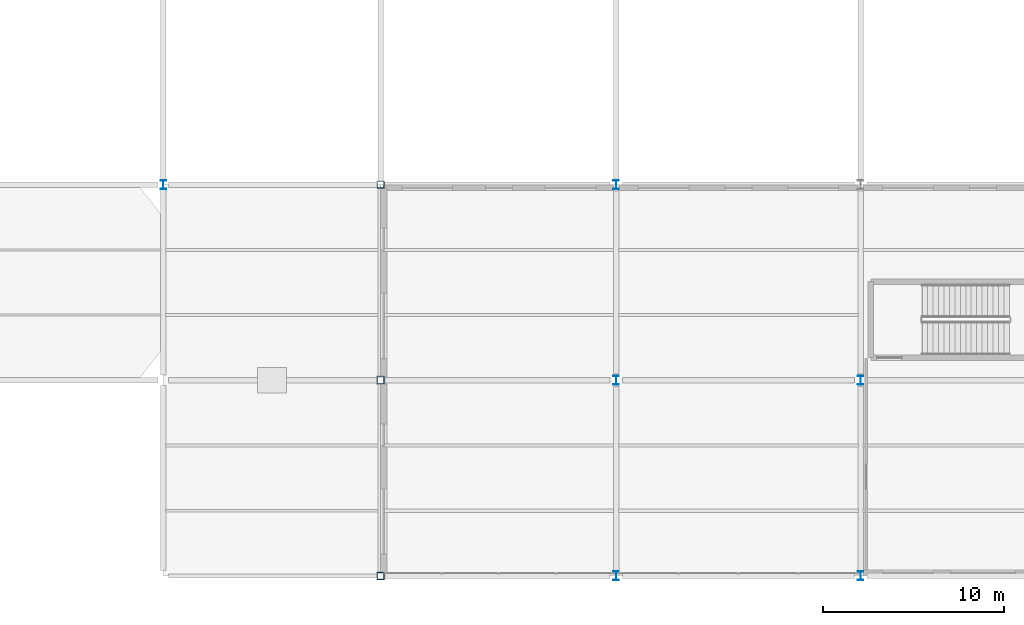
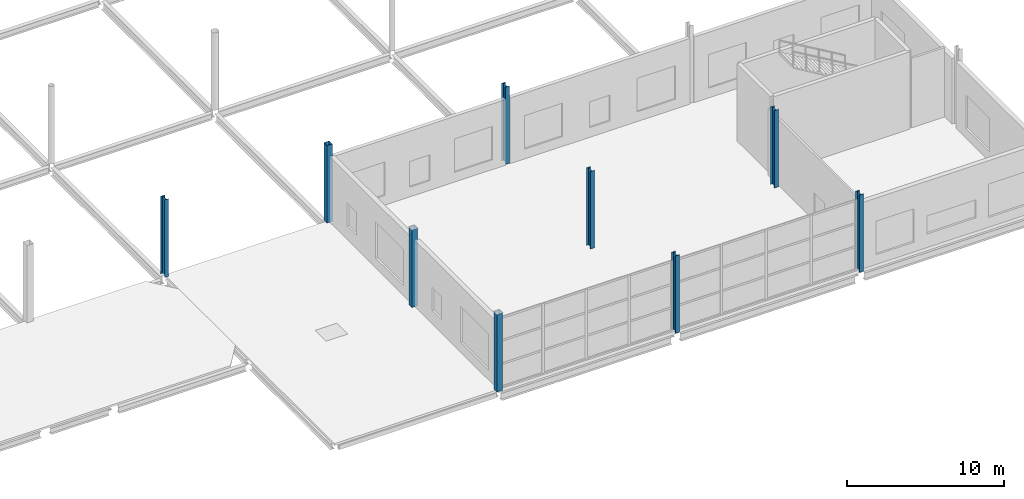
# One storey, part 14 of 191: 9 columns.
"""IFC4 building model written with IfcOpenShell, lengths in metres."""

from ifc_helpers import new_model, si_unit, direction, frame, origin, origin_2d, place, context, subcontext, project, spatial, hollow_rectangle, i_section, extrude, material, material_profile, profile_set, type_object, element, save


model = new_model("IFC4")

# Units and contexts
model_context = context("Model", 3, precision=1e-05, world=origin(), true_north=direction((0.0, 1.0)))
body_context = subcontext(model_context, "Body", "Model", "MODEL_VIEW")
ifc_project = project(units=[si_unit("LENGTHUNIT", "METRE"), si_unit("AREAUNIT", "SQUARE_METRE"), si_unit("VOLUMEUNIT", "CUBIC_METRE"), si_unit("PLANEANGLEUNIT", "RADIAN"), si_unit("MASSUNIT", "GRAM", prefix="KILO")], contexts=[model_context])

# Site, building, storey
site_placement = place(None, origin())
site = spatial("IfcSite", under=ifc_project, at=site_placement, CompositionType="ELEMENT")
building_placement = place(site_placement, origin())
building = spatial("IfcBuilding", under=site, at=building_placement, Name="Tamarisk Ironworks Central Station", CompositionType="ELEMENT")
storey_placement = place(building_placement, frame((0.0, 0.0, 6.60009765625)))
storey = spatial("IfcBuildingStorey", under=building, at=storey_placement, Name="L01", CompositionType="ELEMENT", Elevation=6.60009765625)

# Columns
ifc_material_1 = material(Name="Structural steel S355J2", Category="steel")
ifc_material_profile_1 = material_profile(ifc_material_1, i_section(OverallWidth=0.300048828125, OverallDepth=0.5, WebThickness=0.014404296875, FlangeThickness=0.028076171875, at=origin_2d()), Name="HEB 500")
ifc_profile_set_1 = profile_set([ifc_material_profile_1], Name="Structural steel S355J2")
column_type_1 = type_object("IfcColumnType", Name="COL-S07", PredefinedType="COLUMN", material=ifc_profile_set_1)
for number, where, z_axis, x_axis, name in (
    (1, (128.0, 21.60009765625, 0.0), (0.0, 0.0, 1.0), (1.0, 0.0, 0.0), "L01 column V5S-16C"),
    (2, (153.0, 0.0, 0.0), (0.0, 0.0, 1.0), (1.0, 0.0, 0.0), "L01 column V5S-18A"),
    (3, (153.0, 10.800048828125, 0.0), (0.0, 0.0, 1.0), (1.0, 0.0, 0.0), "L01 column V5S-18B"),
    (4, (153.0, 21.60009765625, 0.0), (0.0, 0.0, 1.0), (1.0, 0.0, 0.0), "L01 column V5S-18C"),
    (5, (166.5, 0.0, 0.0), (0.0, 0.0, 1.0), (1.0, 0.0, 0.0), "L01 column V5S-19A"),
    (6, (166.5, 10.800048828125, 0.0), (0.0, 0.0, 1.0), (1.0, 0.0, 0.0), "L01 column V5S-19B"),
):
    element("IfcColumn", number, at=place(storey_placement, frame(where, z_axis=z_axis, x_axis=x_axis)), inside=storey, type_object=column_type_1, Name=name, PredefinedType="COLUMN", context=body_context, shape_type="SweptSolid", body=[
        extrude(i_section(OverallWidth=0.300048828125, OverallDepth=0.5, WebThickness=0.014404296875, FlangeThickness=0.028076171875, at=origin_2d()), origin(), (0.0, 0.0, 1.0), 6.0),
    ])
ifc_material_2 = material(Name="Structural steel S355J2H", Category="steel")
ifc_material_profile_2 = material_profile(ifc_material_2, hollow_rectangle(XDim=0.39990234375, YDim=0.39990234375, WallThickness=0.01611328125, at=origin_2d()), Name="SHS 400x400x16")
ifc_profile_set_2 = profile_set([ifc_material_profile_2], Name="Structural steel S355J2H")
column_type_2 = type_object("IfcColumnType", Name="COL-S14", PredefinedType="COLUMN", material=ifc_profile_set_2)
for number, where, z_axis, x_axis, name in (
    (7, (140.0, 0.0, 0.0), (0.0, 0.0, 1.0), (1.0, 0.0, 0.0), "L01 column V5S-17A"),
    (8, (140.0, 10.800048828125, 0.0), (0.0, 0.0, 1.0), (1.0, 0.0, 0.0), "L01 column V5S-17B"),
    (9, (140.0, 21.60009765625, 0.0), (0.0, 0.0, 1.0), (1.0, 0.0, 0.0), "L01 column V5S-17C"),
):
    element("IfcColumn", number, at=place(storey_placement, frame(where, z_axis=z_axis, x_axis=x_axis)), inside=storey, type_object=column_type_2, Name=name, PredefinedType="COLUMN", context=body_context, shape_type="SweptSolid", body=[
        extrude(hollow_rectangle(XDim=0.39990234375, YDim=0.39990234375, WallThickness=0.01611328125, at=origin_2d()), origin(), (0.0, 0.0, 1.0), 6.0),
    ])

save(model, "model.ifc")
